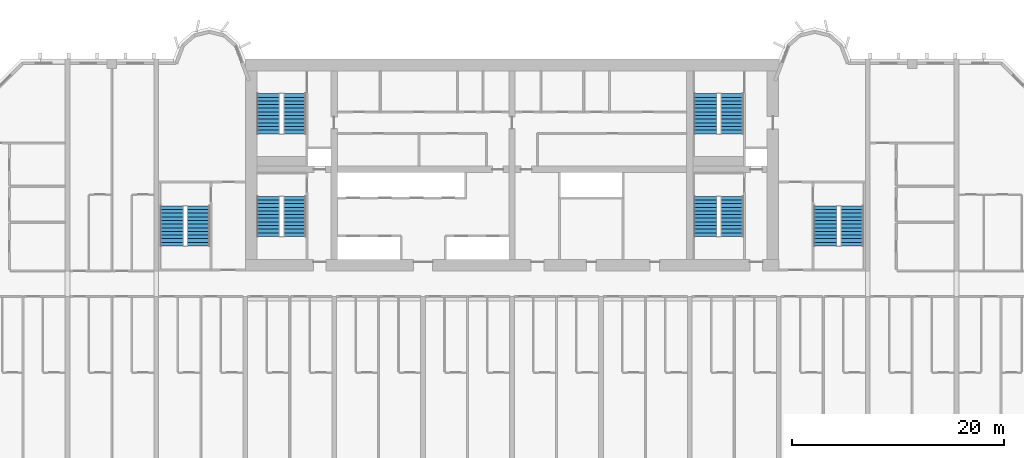
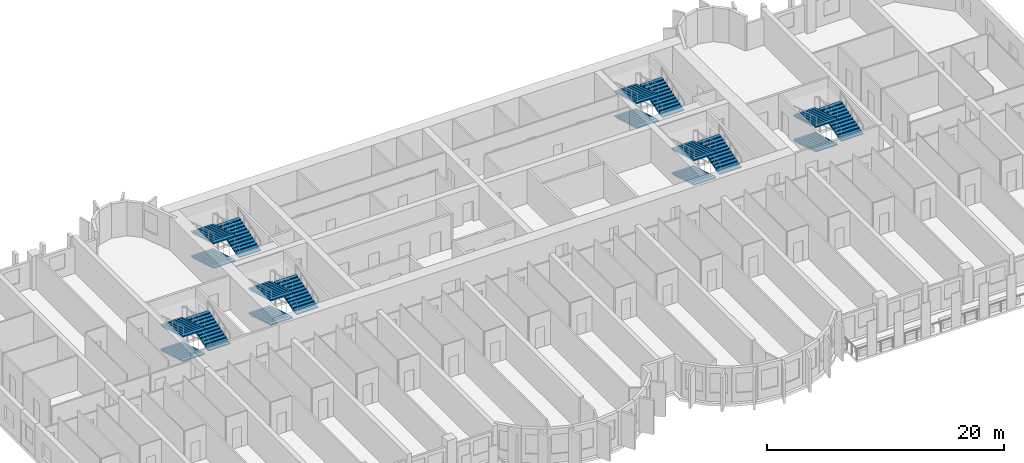
# One storey, part 12 of 15: 18 stair flights, 6 elements without a shape of their own.
"""IFC4 building model written with IfcOpenShell, lengths in metres."""

from ifc_helpers import new_model, si_unit, direction, frame, origin, place, context, subcontext, project, spatial, polyline, outline, extrude, source, transform, mapped, material, type_object, element, aggregate, save


model = new_model("IFC4")

# Units and contexts
model_context = context("Model", 3, precision=1e-05, world=origin(), true_north=direction((0.0, 1.0)))
body_context = subcontext(model_context, "Body", "Model", "MODEL_VIEW")
ifc_project = project(units=[si_unit("LENGTHUNIT", "METRE"), si_unit("AREAUNIT", "SQUARE_METRE"), si_unit("VOLUMEUNIT", "CUBIC_METRE"), si_unit("PLANEANGLEUNIT", "RADIAN"), si_unit("MASSUNIT", "GRAM", prefix="KILO")], contexts=[model_context])

# Site, building, storey
site_placement = place(None, origin())
site = spatial("IfcSite", under=ifc_project, at=site_placement, CompositionType="ELEMENT")
building_placement = place(site_placement, origin())
building = spatial("IfcBuilding", under=site, at=building_placement, Name="Vanashikhar Sky Hotel", CompositionType="ELEMENT")
storey_placement = place(building_placement, frame((0.0, 0.0, 31.60009765625)))
storey = spatial("IfcBuildingStorey", under=building, at=storey_placement, Name="L06", CompositionType="ELEMENT", Elevation=31.60009765625)

# Stair, stair flights
ifc_material = material(Name="Concrete M40", Category="concrete")
stair_type = type_object("IfcStairType", Name="Exit stair 2150", PredefinedType="DOUBLE_RETURN_STAIR", material=ifc_material)
stair_1_placement = place(storey_placement, origin())
stair_1 = element("IfcStair", 1, at=stair_1_placement, inside=storey, type_object=stair_type, Name="L06 Exit stair 1", PredefinedType="DOUBLE_RETURN_STAIR")
stair_flight_type = type_object("IfcStairFlightType", Name="Stair flight 2150", PredefinedType="STRAIGHT", material=ifc_material)
shared_shape = source(origin(), body_context, "Body", "SweptSolid", [
    extrude(outline(polyline([(0.0, 0.0), (0.0, 0.10546875), (0.345458984375, 0.10546875), (0.345458984375, 0.211181640625), (0.69091796875, 0.211181640625), (0.69091796875, 0.316650390625), (1.036376953125, 0.316650390625), (1.036376953125, 0.422119140625), (1.3818359375, 0.422119140625), (1.3818359375, 0.52783203125), (1.727294921875, 0.52783203125), (1.727294921875, 0.63330078125), (2.07275390625, 0.63330078125), (2.07275390625, 0.73876953125), (2.418212890625, 0.73876953125), (2.418212890625, 0.844482421875), (2.763671875, 0.844482421875), (2.763671875, 0.949951171875), (3.109130859375, 0.949951171875), (3.109130859375, 1.0556640625), (3.45458984375, 1.0556640625), (3.45458984375, 1.1611328125), (3.800048828125, 1.1611328125), (3.800048828125, 1.2666015625), (3.800048828125, 1.035400390625), (0.4111328125, 0.0), (0.0, 0.0)])), frame((0.0, 1.074951171875, 0.0), z_axis=(0.0, -1.0, 0.0), x_axis=(1.0, 0.0, 0.0)), (0.0, 0.0, 1.0), 2.14990234375),
])
stair_flight_1_placement = place(storey_placement, frame((27.375, 29.050048828125, 0.0), z_axis=(0.0, 0.0, 1.0), x_axis=(0.0, -1.0, 0.0)))
stair_flight_1 = element("IfcStairFlight", 2, at=stair_flight_1_placement, type_object=stair_flight_type, Name="ST-C1 flight 1", NumberOfRisers=12, NumberOfTreads=11, PredefinedType="STRAIGHT", RiserHeight=0.105555556, TreadLength=0.345454545, context=body_context, shape_type="MappedRepresentation", body=[
    mapped(shared_shape, transform((0.0, 0.0, 0.0), scale=1.0)),
])
stair_flight_2_placement = place(storey_placement, frame((29.875, 25.25, 1.2666015625), z_axis=(0.0, 0.0, 1.0), x_axis=(0.0, 1.0, 0.0)))
stair_flight_2 = element("IfcStairFlight", 3, at=stair_flight_2_placement, type_object=stair_flight_type, Name="ST-C1 flight 2", NumberOfRisers=12, NumberOfTreads=11, PredefinedType="STRAIGHT", RiserHeight=0.105555556, TreadLength=0.345454545, context=body_context, shape_type="MappedRepresentation", body=[
    mapped(shared_shape, transform((0.0, 0.0, 0.0), scale=1.0)),
])
stair_flight_3_placement = place(storey_placement, frame((27.375, 29.050048828125, 2.533203125), z_axis=(0.0, 0.0, 1.0), x_axis=(0.0, -1.0, 0.0)))
stair_flight_3 = element("IfcStairFlight", 4, at=stair_flight_3_placement, type_object=stair_flight_type, Name="ST-C1 flight 3", NumberOfRisers=12, NumberOfTreads=11, PredefinedType="STRAIGHT", RiserHeight=0.105555556, TreadLength=0.345454545, context=body_context, shape_type="MappedRepresentation", body=[
    mapped(shared_shape, transform((0.0, 0.0, 0.0), scale=1.0)),
])
aggregate(stair_1, [stair_flight_1, stair_flight_2, stair_flight_3])

stair_2_placement = place(storey_placement, origin())
stair_2 = element("IfcStair", 5, at=stair_2_placement, inside=storey, type_object=stair_type, Name="L06 Exit stair 2", PredefinedType="DOUBLE_RETURN_STAIR")
stair_flight_4_placement = place(storey_placement, frame((68.675048828125, 29.050048828125, 0.0), z_axis=(0.0, 0.0, 1.0), x_axis=(0.0, -1.0, 0.0)))
stair_flight_4 = element("IfcStairFlight", 6, at=stair_flight_4_placement, type_object=stair_flight_type, Name="ST-C2 flight 1", NumberOfRisers=12, NumberOfTreads=11, PredefinedType="STRAIGHT", RiserHeight=0.105555556, TreadLength=0.345454545, context=body_context, shape_type="MappedRepresentation", body=[
    mapped(shared_shape, transform((0.0, 0.0, 0.0), scale=1.0)),
])
stair_flight_5_placement = place(storey_placement, frame((71.175048828125, 25.25, 1.2666015625), z_axis=(0.0, 0.0, 1.0), x_axis=(0.0, 1.0, 0.0)))
stair_flight_5 = element("IfcStairFlight", 7, at=stair_flight_5_placement, type_object=stair_flight_type, Name="ST-C2 flight 2", NumberOfRisers=12, NumberOfTreads=11, PredefinedType="STRAIGHT", RiserHeight=0.105555556, TreadLength=0.345454545, context=body_context, shape_type="MappedRepresentation", body=[
    mapped(shared_shape, transform((0.0, 0.0, 0.0), scale=1.0)),
])
stair_flight_6_placement = place(storey_placement, frame((68.675048828125, 29.050048828125, 2.533203125), z_axis=(0.0, 0.0, 1.0), x_axis=(0.0, -1.0, 0.0)))
stair_flight_6 = element("IfcStairFlight", 8, at=stair_flight_6_placement, type_object=stair_flight_type, Name="ST-C2 flight 3", NumberOfRisers=12, NumberOfTreads=11, PredefinedType="STRAIGHT", RiserHeight=0.105555556, TreadLength=0.345454545, context=body_context, shape_type="MappedRepresentation", body=[
    mapped(shared_shape, transform((0.0, 0.0, 0.0), scale=1.0)),
])
aggregate(stair_2, [stair_flight_4, stair_flight_5, stair_flight_6])

stair_3_placement = place(storey_placement, origin())
stair_3 = element("IfcStair", 9, at=stair_3_placement, inside=storey, type_object=stair_type, Name="L06 Exit stair 3", PredefinedType="DOUBLE_RETURN_STAIR")
stair_flight_7_placement = place(storey_placement, frame((18.27490234375, 28.14990234375, 0.0), z_axis=(0.0, 0.0, 1.0), x_axis=(0.0, -1.0, 0.0)))
stair_flight_7 = element("IfcStairFlight", 10, at=stair_flight_7_placement, type_object=stair_flight_type, Name="ST-W flight 1", NumberOfRisers=12, NumberOfTreads=11, PredefinedType="STRAIGHT", RiserHeight=0.105555556, TreadLength=0.345454545, context=body_context, shape_type="MappedRepresentation", body=[
    mapped(shared_shape, transform((0.0, 0.0, 0.0), scale=1.0)),
])
stair_flight_8_placement = place(storey_placement, frame((20.77490234375, 24.35009765625, 1.2666015625), z_axis=(0.0, 0.0, 1.0), x_axis=(0.0, 1.0, 0.0)))
stair_flight_8 = element("IfcStairFlight", 11, at=stair_flight_8_placement, type_object=stair_flight_type, Name="ST-W flight 2", NumberOfRisers=12, NumberOfTreads=11, PredefinedType="STRAIGHT", RiserHeight=0.105555556, TreadLength=0.345454545, context=body_context, shape_type="MappedRepresentation", body=[
    mapped(shared_shape, transform((0.0, 0.0, 0.0), scale=1.0)),
])
stair_flight_9_placement = place(storey_placement, frame((18.27490234375, 28.14990234375, 2.533203125), z_axis=(0.0, 0.0, 1.0), x_axis=(0.0, -1.0, 0.0)))
stair_flight_9 = element("IfcStairFlight", 12, at=stair_flight_9_placement, type_object=stair_flight_type, Name="ST-W flight 3", NumberOfRisers=12, NumberOfTreads=11, PredefinedType="STRAIGHT", RiserHeight=0.105555556, TreadLength=0.345454545, context=body_context, shape_type="MappedRepresentation", body=[
    mapped(shared_shape, transform((0.0, 0.0, 0.0), scale=1.0)),
])
aggregate(stair_3, [stair_flight_7, stair_flight_8, stair_flight_9])

stair_4_placement = place(storey_placement, origin())
stair_4 = element("IfcStair", 13, at=stair_4_placement, inside=storey, type_object=stair_type, Name="L06 Exit stair 4", PredefinedType="DOUBLE_RETURN_STAIR")
stair_flight_10_placement = place(storey_placement, frame((80.02490234375, 28.14990234375, 0.0), z_axis=(0.0, 0.0, 1.0), x_axis=(0.0, -1.0, 0.0)))
stair_flight_10 = element("IfcStairFlight", 14, at=stair_flight_10_placement, type_object=stair_flight_type, Name="ST-E flight 1", NumberOfRisers=12, NumberOfTreads=11, PredefinedType="STRAIGHT", RiserHeight=0.105555556, TreadLength=0.345454545, context=body_context, shape_type="MappedRepresentation", body=[
    mapped(shared_shape, transform((0.0, 0.0, 0.0), scale=1.0)),
])
stair_flight_11_placement = place(storey_placement, frame((82.52490234375, 24.35009765625, 1.2666015625), z_axis=(0.0, 0.0, 1.0), x_axis=(0.0, 1.0, 0.0)))
stair_flight_11 = element("IfcStairFlight", 15, at=stair_flight_11_placement, type_object=stair_flight_type, Name="ST-E flight 2", NumberOfRisers=12, NumberOfTreads=11, PredefinedType="STRAIGHT", RiserHeight=0.105555556, TreadLength=0.345454545, context=body_context, shape_type="MappedRepresentation", body=[
    mapped(shared_shape, transform((0.0, 0.0, 0.0), scale=1.0)),
])
stair_flight_12_placement = place(storey_placement, frame((80.02490234375, 28.14990234375, 2.533203125), z_axis=(0.0, 0.0, 1.0), x_axis=(0.0, -1.0, 0.0)))
stair_flight_12 = element("IfcStairFlight", 16, at=stair_flight_12_placement, type_object=stair_flight_type, Name="ST-E flight 3", NumberOfRisers=12, NumberOfTreads=11, PredefinedType="STRAIGHT", RiserHeight=0.105555556, TreadLength=0.345454545, context=body_context, shape_type="MappedRepresentation", body=[
    mapped(shared_shape, transform((0.0, 0.0, 0.0), scale=1.0)),
])
aggregate(stair_4, [stair_flight_10, stair_flight_11, stair_flight_12])

stair_5_placement = place(storey_placement, origin())
stair_5 = element("IfcStair", 17, at=stair_5_placement, inside=storey, type_object=stair_type, Name="L06 Exit stair 5", PredefinedType="DOUBLE_RETURN_STAIR")
stair_flight_13_placement = place(storey_placement, frame((27.375, 38.75, 0.0), z_axis=(0.0, 0.0, 1.0), x_axis=(0.0, -1.0, 0.0)))
stair_flight_13 = element("IfcStairFlight", 18, at=stair_flight_13_placement, type_object=stair_flight_type, Name="ST-C3 flight 1", NumberOfRisers=12, NumberOfTreads=11, PredefinedType="STRAIGHT", RiserHeight=0.105555556, TreadLength=0.345454545, context=body_context, shape_type="MappedRepresentation", body=[
    mapped(shared_shape, transform((0.0, 0.0, 0.0), scale=1.0)),
])
stair_flight_14_placement = place(storey_placement, frame((29.875, 34.949951171875, 1.2666015625), z_axis=(0.0, 0.0, 1.0), x_axis=(0.0, 1.0, 0.0)))
stair_flight_14 = element("IfcStairFlight", 19, at=stair_flight_14_placement, type_object=stair_flight_type, Name="ST-C3 flight 2", NumberOfRisers=12, NumberOfTreads=11, PredefinedType="STRAIGHT", RiserHeight=0.105555556, TreadLength=0.345454545, context=body_context, shape_type="MappedRepresentation", body=[
    mapped(shared_shape, transform((0.0, 0.0, 0.0), scale=1.0)),
])
stair_flight_15_placement = place(storey_placement, frame((27.375, 38.75, 2.533203125), z_axis=(0.0, 0.0, 1.0), x_axis=(0.0, -1.0, 0.0)))
stair_flight_15 = element("IfcStairFlight", 20, at=stair_flight_15_placement, type_object=stair_flight_type, Name="ST-C3 flight 3", NumberOfRisers=12, NumberOfTreads=11, PredefinedType="STRAIGHT", RiserHeight=0.105555556, TreadLength=0.345454545, context=body_context, shape_type="MappedRepresentation", body=[
    mapped(shared_shape, transform((0.0, 0.0, 0.0), scale=1.0)),
])
aggregate(stair_5, [stair_flight_13, stair_flight_14, stair_flight_15])

stair_6_placement = place(storey_placement, origin())
stair_6 = element("IfcStair", 21, at=stair_6_placement, inside=storey, type_object=stair_type, Name="L06 Exit stair 6", PredefinedType="DOUBLE_RETURN_STAIR")
stair_flight_16_placement = place(storey_placement, frame((68.675048828125, 38.75, 0.0), z_axis=(0.0, 0.0, 1.0), x_axis=(0.0, -1.0, 0.0)))
stair_flight_16 = element("IfcStairFlight", 22, at=stair_flight_16_placement, type_object=stair_flight_type, Name="ST-C4 flight 1", NumberOfRisers=12, NumberOfTreads=11, PredefinedType="STRAIGHT", RiserHeight=0.105555556, TreadLength=0.345454545, context=body_context, shape_type="MappedRepresentation", body=[
    mapped(shared_shape, transform((0.0, 0.0, 0.0), scale=1.0)),
])
stair_flight_17_placement = place(storey_placement, frame((71.175048828125, 34.949951171875, 1.2666015625), z_axis=(0.0, 0.0, 1.0), x_axis=(0.0, 1.0, 0.0)))
stair_flight_17 = element("IfcStairFlight", 23, at=stair_flight_17_placement, type_object=stair_flight_type, Name="ST-C4 flight 2", NumberOfRisers=12, NumberOfTreads=11, PredefinedType="STRAIGHT", RiserHeight=0.105555556, TreadLength=0.345454545, context=body_context, shape_type="MappedRepresentation", body=[
    mapped(shared_shape, transform((0.0, 0.0, 0.0), scale=1.0)),
])
stair_flight_18_placement = place(storey_placement, frame((68.675048828125, 38.75, 2.533203125), z_axis=(0.0, 0.0, 1.0), x_axis=(0.0, -1.0, 0.0)))
stair_flight_18 = element("IfcStairFlight", 24, at=stair_flight_18_placement, type_object=stair_flight_type, Name="ST-C4 flight 3", NumberOfRisers=12, NumberOfTreads=11, PredefinedType="STRAIGHT", RiserHeight=0.105555556, TreadLength=0.345454545, context=body_context, shape_type="MappedRepresentation", body=[
    mapped(shared_shape, transform((0.0, 0.0, 0.0), scale=1.0)),
])
aggregate(stair_6, [stair_flight_16, stair_flight_17, stair_flight_18])

save(model, "model.ifc")
